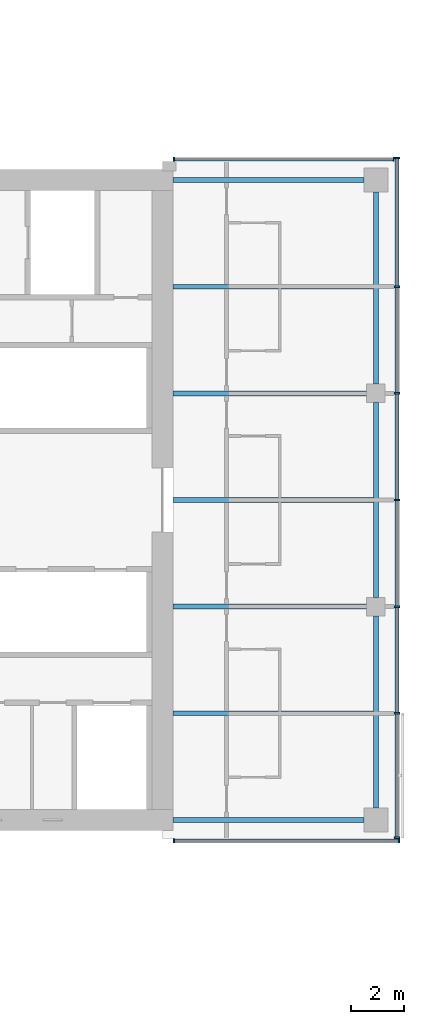
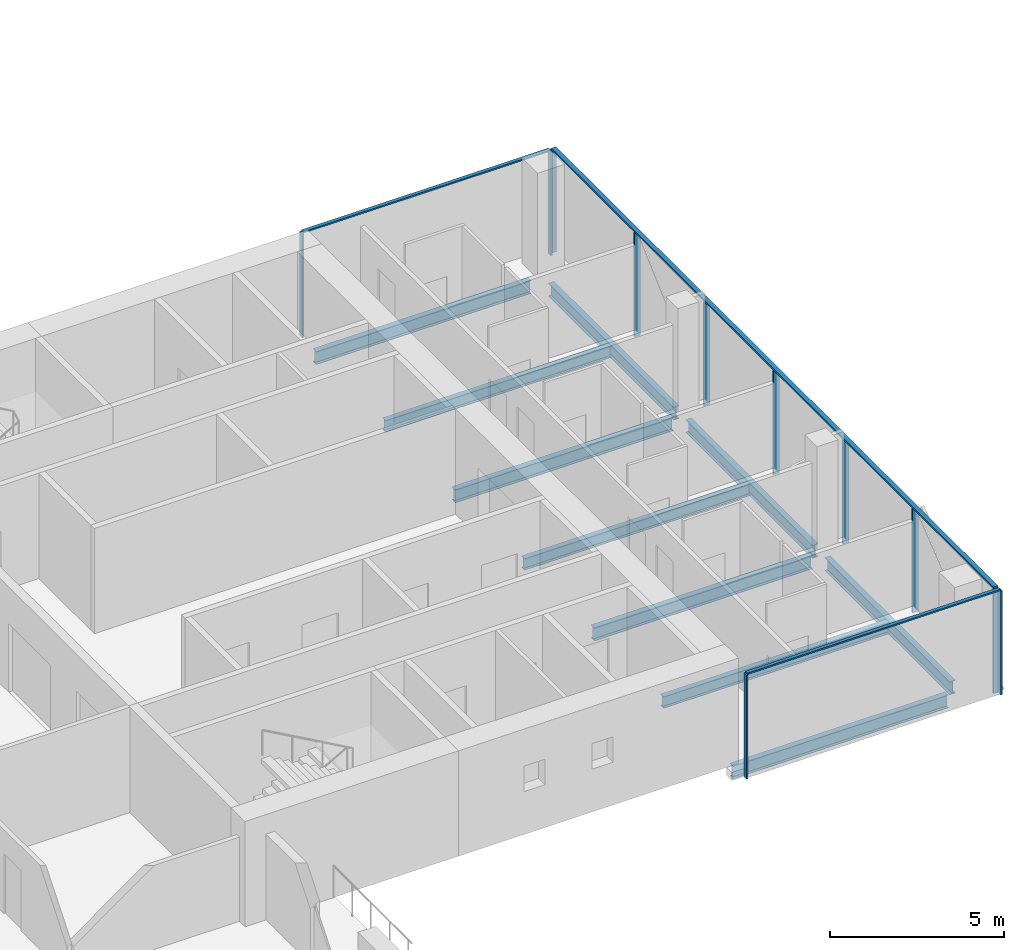
# One storey, part 11 of 29: 14 members, 10 beams, 3 elements without a shape of their own.
"""IFC4 building model written with IfcOpenShell, lengths in metres."""

from ifc_helpers import new_model, si_unit, direction, frame, origin, origin_2d, place, context, subcontext, project, spatial, rectangle, i_section, extrude, material, material_profile, profile_set, type_object, element, aggregate, save


model = new_model("IFC4")

# Units and contexts
model_context = context("Model", 3, precision=1e-05, world=origin(), true_north=direction((0.0, 1.0)))
body_context = subcontext(model_context, "Body", "Model", "MODEL_VIEW")
ifc_project = project(units=[si_unit("LENGTHUNIT", "METRE"), si_unit("AREAUNIT", "SQUARE_METRE"), si_unit("VOLUMEUNIT", "CUBIC_METRE"), si_unit("PLANEANGLEUNIT", "RADIAN"), si_unit("MASSUNIT", "GRAM", prefix="KILO")], contexts=[model_context])

# Site, building, storey
site_placement = place(None, origin())
site = spatial("IfcSite", under=ifc_project, at=site_placement, CompositionType="ELEMENT")
building_placement = place(site_placement, origin())
building = spatial("IfcBuilding", under=site, at=building_placement, Name="Crosswind Convention Tower", CompositionType="ELEMENT")
storey_placement = place(building_placement, frame((0.0, 0.0, 60.89990234375)))
storey = spatial("IfcBuildingStorey", under=building, at=storey_placement, Name="L09", CompositionType="ELEMENT", Elevation=60.89990234375)

# Beams
ifc_material_1 = material(Name="Steel S355", Category="steel")
ifc_material_profile_1 = material_profile(ifc_material_1, i_section(OverallWidth=0.1904296875, OverallDepth=0.457275390625, WebThickness=0.009033203125, FlangeThickness=0.014404296875, FilletRadius=0.01025390625, at=origin_2d()), Name="UB 457x191x75")
ifc_profile_set_1 = profile_set([ifc_material_profile_1], Name="Steel S355")
beam_type_1 = type_object("IfcBeamType", Name="Edge beam UB 457x191x75", PredefinedType="SPANDREL", material=ifc_profile_set_1)
for number, where, z_axis, x_axis, name in (
    (1, (153.39990234375, 88.0, -0.508544921875), (1.0, 0.0, 0.0), (0.0, 1.0, 0.0), "B17 L09 edge beam 24"),
    (2, (153.39990234375, 112.0, -0.508544921875), (1.0, 0.0, 0.0), (0.0, 1.0, 0.0), "B17 L09 edge beam 25"),
):
    element("IfcBeam", number, at=place(storey_placement, frame(where, z_axis=z_axis, x_axis=x_axis)), inside=storey, type_object=beam_type_1, Name=name, PredefinedType="SPANDREL", context=body_context, shape_type="SweptSolid", body=[
        extrude(i_section(OverallWidth=0.1904296875, OverallDepth=0.457275390625, WebThickness=0.009033203125, FlangeThickness=0.014404296875, FilletRadius=0.01025390625, at=origin_2d()), origin(), (0.0, 0.0, 1.0), 7.150146484375),
    ])
beam_1_placement = place(storey_placement, frame((161.0, 88.449951171875, -0.508544921875), z_axis=(0.0, 1.0, 0.0), x_axis=(-1.0, 0.0, 0.0)))
element("IfcBeam", 3, at=beam_1_placement, inside=storey, type_object=beam_type_1, Name="B17 L09 edge beam 26", PredefinedType="SPANDREL", context=body_context, shape_type="SweptSolid", body=[
    extrude(i_section(OverallWidth=0.1904296875, OverallDepth=0.457275390625, WebThickness=0.009033203125, FlangeThickness=0.014404296875, FilletRadius=0.01025390625, at=origin_2d()), origin(), (0.0, 0.0, 1.0), 7.199951171875),
])
beam_2_placement = place(storey_placement, frame((161.0, 96.35009765625, -0.508544921875), z_axis=(0.0, 1.0, 0.0), x_axis=(-1.0, 0.0, 0.0)))
element("IfcBeam", 4, at=beam_2_placement, inside=storey, type_object=beam_type_1, Name="B17 L09 edge beam 27", PredefinedType="SPANDREL", context=body_context, shape_type="SweptSolid", body=[
    extrude(i_section(OverallWidth=0.1904296875, OverallDepth=0.457275390625, WebThickness=0.009033203125, FlangeThickness=0.014404296875, FilletRadius=0.01025390625, at=origin_2d()), origin(), (0.0, 0.0, 1.0), 7.2998046875),
])
beam_3_placement = place(storey_placement, frame((161.0, 104.35009765625, -0.508544921875), z_axis=(0.0, 1.0, 0.0), x_axis=(-1.0, 0.0, 0.0)))
element("IfcBeam", 5, at=beam_3_placement, inside=storey, type_object=beam_type_1, Name="B17 L09 edge beam 28", PredefinedType="SPANDREL", context=body_context, shape_type="SweptSolid", body=[
    extrude(i_section(OverallWidth=0.1904296875, OverallDepth=0.457275390625, WebThickness=0.009033203125, FlangeThickness=0.014404296875, FilletRadius=0.01025390625, at=origin_2d()), origin(), (0.0, 0.0, 1.0), 7.199951171875),
])
ifc_material_profile_2 = material_profile(ifc_material_1, i_section(OverallWidth=0.19189453125, OverallDepth=0.463623046875, WebThickness=0.010498046875, FlangeThickness=0.017578125, FilletRadius=0.01025390625, at=origin_2d()), Name="UB 457x191x90")
ifc_profile_set_2 = profile_set([ifc_material_profile_2], Name="Steel S355")
beam_type_2 = type_object("IfcBeamType", Name="Girder at core wall UB 457x191x90", PredefinedType="BEAM", material=ifc_profile_set_2)
for number, where, z_axis, x_axis, name in (
    (6, (153.39990234375, 96.0, -0.51171875), (1.0, 0.0, 0.0), (0.0, 1.0, 0.0), "B24 L09 girder at core wall 11"),
    (7, (153.39990234375, 104.0, -0.51171875), (1.0, 0.0, 0.0), (0.0, 1.0, 0.0), "B24 L09 girder at core wall 12"),
):
    element("IfcBeam", number, at=place(storey_placement, frame(where, z_axis=z_axis, x_axis=x_axis)), inside=storey, type_object=beam_type_2, Name=name, PredefinedType="BEAM", context=body_context, shape_type="SweptSolid", body=[
        extrude(i_section(OverallWidth=0.19189453125, OverallDepth=0.463623046875, WebThickness=0.010498046875, FlangeThickness=0.017578125, FilletRadius=0.01025390625, at=origin_2d()), origin(), (0.0, 0.0, 1.0), 7.25),
    ])

# Curtain wall, members
ifc_material_2 = material(Name="Aluminium unitised curtain wall", Category="aluminium")
curtain_wall_type_1 = type_object("IfcCurtainWallType", Name="CORE END SLOT WALL 160", PredefinedType="USERDEFINED", material=ifc_material_2)
curtain_wall_1_placement = place(storey_placement, origin())
curtain_wall_1 = element("IfcCurtainWall", 8, at=curtain_wall_1_placement, inside=storey, type_object=curtain_wall_type_1, Name="CW6 L09 E-N.1-1 slot", ObjectType="UNITISED", PredefinedType="USERDEFINED")
ifc_material_3 = material(Name="Aluminium mullion", Category="aluminium")
ifc_material_profile_3 = material_profile(ifc_material_3, rectangle(XDim=0.159912109375, YDim=0.050048828125, at=origin_2d()), Name="AL 160X50")
ifc_profile_set_3 = profile_set([ifc_material_profile_3], Name="Aluminium mullion")
member_type_1 = type_object("IfcMemberType", Name="MULLION 50X160", PredefinedType="MULLION", material=ifc_profile_set_3)
member_1_placement = place(storey_placement, frame((161.675048828125, 112.780029296875, -0.27978515625), z_axis=(0.0, 0.0, 1.0), x_axis=(0.0, 1.0, 0.0)))
member_1 = element("IfcMember", 9, at=member_1_placement, type_object=member_type_1, Name="CW6 mullion 1", PredefinedType="MULLION", context=body_context, shape_type="SweptSolid", body=[
    extrude(rectangle(XDim=0.159912109375, YDim=0.050048828125, at=origin_2d()), origin(), (0.0, 0.0, 1.0), 3.64990234375),
])
member_2_placement = place(storey_placement, frame((153.425048828125, 112.780029296875, -0.27978515625), z_axis=(0.0, 0.0, 1.0), x_axis=(0.0, 1.0, 0.0)))
member_2 = element("IfcMember", 10, at=member_2_placement, type_object=member_type_1, Name="CW6 mullion 2", PredefinedType="MULLION", context=body_context, shape_type="SweptSolid", body=[
    extrude(rectangle(XDim=0.159912109375, YDim=0.050048828125, at=origin_2d()), origin(), (0.0, 0.0, 1.0), 3.64990234375),
])

curtain_wall_2_placement = place(storey_placement, origin())
curtain_wall_2 = element("IfcCurtainWall", 11, at=curtain_wall_2_placement, inside=storey, type_object=curtain_wall_type_1, Name="CW6 L09 E-S.2-1 slot", ObjectType="UNITISED", PredefinedType="USERDEFINED")
member_3_placement = place(storey_placement, frame((153.425048828125, 87.219970703125, -0.27978515625), z_axis=(0.0, 0.0, 1.0), x_axis=(0.0, -1.0, 0.0)))
member_3 = element("IfcMember", 12, at=member_3_placement, type_object=member_type_1, Name="CW6 mullion 1", PredefinedType="MULLION", context=body_context, shape_type="SweptSolid", body=[
    extrude(rectangle(XDim=0.159912109375, YDim=0.050048828125, at=origin_2d()), origin(), (0.0, 0.0, 1.0), 3.64990234375),
])
member_4_placement = place(storey_placement, frame((161.875, 87.219970703125, -0.27978515625), z_axis=(0.0, 0.0, 1.0), x_axis=(0.0, -1.0, 0.0)))
member_4 = element("IfcMember", 13, at=member_4_placement, type_object=member_type_1, Name="CW6 mullion 2", PredefinedType="MULLION", context=body_context, shape_type="SweptSolid", body=[
    extrude(rectangle(XDim=0.159912109375, YDim=0.050048828125, at=origin_2d()), origin(), (0.0, 0.0, 1.0), 3.64990234375),
])

curtain_wall_type_2 = type_object("IfcCurtainWallType", Name="HOTEL UNITISED WALL 200", PredefinedType="USERDEFINED", material=ifc_material_2)
curtain_wall_3_placement = place(storey_placement, origin())
curtain_wall_3 = element("IfcCurtainWall", 14, at=curtain_wall_3_placement, inside=storey, type_object=curtain_wall_type_2, Name="CW2 L09 E-TIP 1", ObjectType="UNITISED", PredefinedType="USERDEFINED")
ifc_material_profile_4 = material_profile(ifc_material_3, rectangle(XDim=0.199951171875, YDim=0.06494140625, at=origin_2d()), Name="AL 200X65")
ifc_profile_set_4 = profile_set([ifc_material_profile_4], Name="Aluminium mullion")
member_type_2 = type_object("IfcMemberType", Name="MULLION 65X200", PredefinedType="MULLION", material=ifc_profile_set_4)
member_5_placement = place(storey_placement, frame((161.800048828125, 87.33251953125, -0.27978515625), z_axis=(0.0, 0.0, 1.0), x_axis=(1.0, 0.0, 0.0)))
member_5 = element("IfcMember", 15, at=member_5_placement, type_object=member_type_2, Name="CW2 mullion 1", PredefinedType="MULLION", context=body_context, shape_type="SweptSolid", body=[
    extrude(rectangle(XDim=0.199951171875, YDim=0.06494140625, at=origin_2d()), origin(), (0.0, 0.0, 1.0), 3.634765625),
])
member_6_placement = place(storey_placement, frame((161.800048828125, 92.0, -0.27978515625), z_axis=(0.0, 0.0, 1.0), x_axis=(1.0, 0.0, 0.0)))
member_6 = element("IfcMember", 16, at=member_6_placement, type_object=member_type_2, Name="CW2 mullion 2", PredefinedType="MULLION", context=body_context, shape_type="SweptSolid", body=[
    extrude(rectangle(XDim=0.199951171875, YDim=0.06494140625, at=origin_2d()), origin(), (0.0, 0.0, 1.0), 3.634765625),
])
member_7_placement = place(storey_placement, frame((161.800048828125, 96.0, -0.27978515625), z_axis=(0.0, 0.0, 1.0), x_axis=(1.0, 0.0, 0.0)))
member_7 = element("IfcMember", 17, at=member_7_placement, type_object=member_type_2, Name="CW2 mullion 3", PredefinedType="MULLION", context=body_context, shape_type="SweptSolid", body=[
    extrude(rectangle(XDim=0.199951171875, YDim=0.06494140625, at=origin_2d()), origin(), (0.0, 0.0, 1.0), 3.634765625),
])
member_8_placement = place(storey_placement, frame((161.800048828125, 100.0, -0.27978515625), z_axis=(0.0, 0.0, 1.0), x_axis=(1.0, 0.0, 0.0)))
member_8 = element("IfcMember", 18, at=member_8_placement, type_object=member_type_2, Name="CW2 mullion 4", PredefinedType="MULLION", context=body_context, shape_type="SweptSolid", body=[
    extrude(rectangle(XDim=0.199951171875, YDim=0.06494140625, at=origin_2d()), origin(), (0.0, 0.0, 1.0), 3.634765625),
])
member_9_placement = place(storey_placement, frame((161.800048828125, 104.0, -0.27978515625), z_axis=(0.0, 0.0, 1.0), x_axis=(1.0, 0.0, 0.0)))
member_9 = element("IfcMember", 19, at=member_9_placement, type_object=member_type_2, Name="CW2 mullion 5", PredefinedType="MULLION", context=body_context, shape_type="SweptSolid", body=[
    extrude(rectangle(XDim=0.199951171875, YDim=0.06494140625, at=origin_2d()), origin(), (0.0, 0.0, 1.0), 3.634765625),
])
member_10_placement = place(storey_placement, frame((161.800048828125, 108.0, -0.27978515625), z_axis=(0.0, 0.0, 1.0), x_axis=(1.0, 0.0, 0.0)))
member_10 = element("IfcMember", 20, at=member_10_placement, type_object=member_type_2, Name="CW2 mullion 6", PredefinedType="MULLION", context=body_context, shape_type="SweptSolid", body=[
    extrude(rectangle(XDim=0.199951171875, YDim=0.06494140625, at=origin_2d()), origin(), (0.0, 0.0, 1.0), 3.634765625),
])
member_11_placement = place(storey_placement, frame((161.800048828125, 112.827392578125, -0.27978515625), z_axis=(0.0, 0.0, 1.0), x_axis=(1.0, 0.0, 0.0)))
member_11 = element("IfcMember", 21, at=member_11_placement, type_object=member_type_2, Name="CW2 mullion 7", PredefinedType="MULLION", context=body_context, shape_type="SweptSolid", body=[
    extrude(rectangle(XDim=0.199951171875, YDim=0.06494140625, at=origin_2d()), origin(), (0.0, 0.0, 1.0), 3.634765625),
])

# Beams
ifc_material_profile_5 = material_profile(ifc_material_1, i_section(OverallWidth=0.177734375, OverallDepth=0.406494140625, WebThickness=0.0078125, FlangeThickness=0.0126953125, FilletRadius=0.01025390625, at=origin_2d()), Name="UB 406x178x60")
ifc_profile_set_5 = profile_set([ifc_material_profile_5], Name="Steel S355")
beam_type_3 = type_object("IfcBeamType", Name="Secondary beam UB 406x178x60", PredefinedType="JOIST", material=ifc_profile_set_5)
for number, where, z_axis, x_axis, name in (
    (22, (153.39990234375, 92.0, -0.483154296875), (1.0, 0.0, 0.0), (0.0, 1.0, 0.0), "B10 L09 secondary beam 31"),
    (23, (153.39990234375, 100.0, -0.483154296875), (1.0, 0.0, 0.0), (0.0, 1.0, 0.0), "B10 L09 secondary beam 32"),
    (24, (153.39990234375, 108.0, -0.483154296875), (1.0, 0.0, 0.0), (0.0, 1.0, 0.0), "B10 L09 secondary beam 33"),
):
    element("IfcBeam", number, at=place(storey_placement, frame(where, z_axis=z_axis, x_axis=x_axis)), inside=storey, type_object=beam_type_3, Name=name, PredefinedType="JOIST", context=body_context, shape_type="SweptSolid", body=[
        extrude(i_section(OverallWidth=0.177734375, OverallDepth=0.406494140625, WebThickness=0.0078125, FlangeThickness=0.0126953125, FilletRadius=0.01025390625, at=origin_2d()), origin(), (0.0, 0.0, 1.0), 7.5048828125),
    ])

# Member
ifc_material_4 = material(Name="Aluminium transom", Category="aluminium")
ifc_material_profile_6 = material_profile(ifc_material_4, rectangle(XDim=0.1201171875, YDim=0.050048828125, at=origin_2d()), Name="AL 120X50")
ifc_profile_set_6 = profile_set([ifc_material_profile_6], Name="Aluminium transom")
member_type_3 = type_object("IfcMemberType", Name="TRANSOM 50X120", PredefinedType="USERDEFINED", material=ifc_profile_set_6)
member_12_placement = place(storey_placement, frame((161.64990234375, 112.780029296875, 3.39501953125), z_axis=(-1.0, 0.0, 0.0), x_axis=(0.0, -1.0, 0.0)))
member_12 = element("IfcMember", 25, at=member_12_placement, type_object=member_type_3, Name="CW6 transom", ObjectType="TRANSOM", PredefinedType="USERDEFINED", context=body_context, shape_type="SweptSolid", body=[
    extrude(rectangle(XDim=0.1201171875, YDim=0.050048828125, at=origin_2d()), origin(), (0.0, 0.0, 1.0), 8.199951171875),
])

aggregate(curtain_wall_1, [member_1, member_2, member_12])

member_13_placement = place(storey_placement, frame((153.449951171875, 87.219970703125, 3.39501953125), z_axis=(1.0, 0.0, 0.0), x_axis=(0.0, 1.0, 0.0)))
member_13 = element("IfcMember", 26, at=member_13_placement, type_object=member_type_3, Name="CW6 transom", ObjectType="TRANSOM", PredefinedType="USERDEFINED", context=body_context, shape_type="SweptSolid", body=[
    extrude(rectangle(XDim=0.1201171875, YDim=0.050048828125, at=origin_2d()), origin(), (0.0, 0.0, 1.0), 8.400146484375),
])

aggregate(curtain_wall_2, [member_3, member_4, member_13])

ifc_material_profile_7 = material_profile(ifc_material_4, rectangle(XDim=0.14990234375, YDim=0.06494140625, at=origin_2d()), Name="AL 150X65")
ifc_profile_set_7 = profile_set([ifc_material_profile_7], Name="Aluminium transom")
member_type_4 = type_object("IfcMemberType", Name="TRANSOM 65X150", PredefinedType="USERDEFINED", material=ifc_profile_set_7)
member_14_placement = place(storey_placement, frame((161.800048828125, 87.364990234375, 3.3876953125), z_axis=(0.0, 1.0, 0.0), x_axis=(-1.0, 0.0, 0.0)))
member_14 = element("IfcMember", 27, at=member_14_placement, type_object=member_type_4, Name="CW2 transom", ObjectType="TRANSOM", PredefinedType="USERDEFINED", context=body_context, shape_type="SweptSolid", body=[
    extrude(rectangle(XDim=0.14990234375, YDim=0.06494140625, at=origin_2d()), origin(), (0.0, 0.0, 1.0), 25.429931640625),
])

aggregate(curtain_wall_3, [member_5, member_6, member_7, member_8, member_9, member_10, member_11, member_14])

save(model, "model.ifc")
